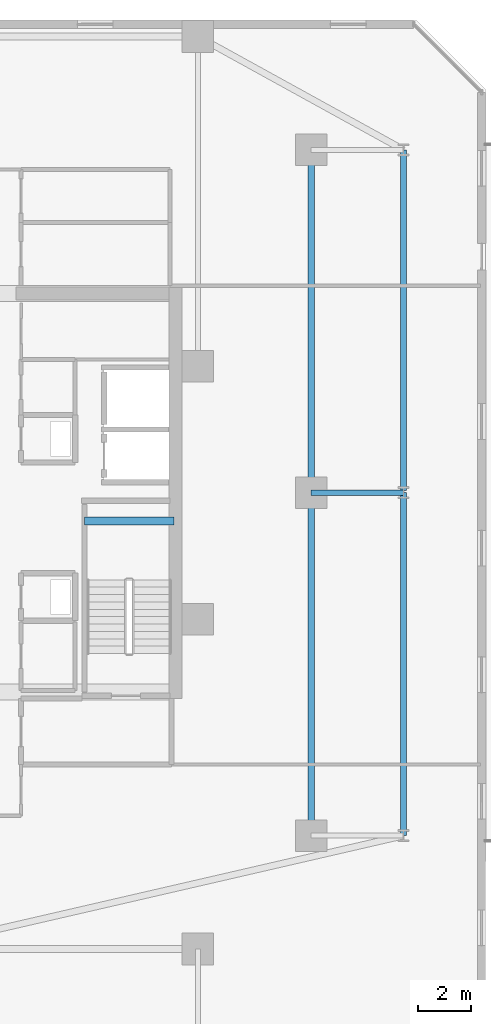
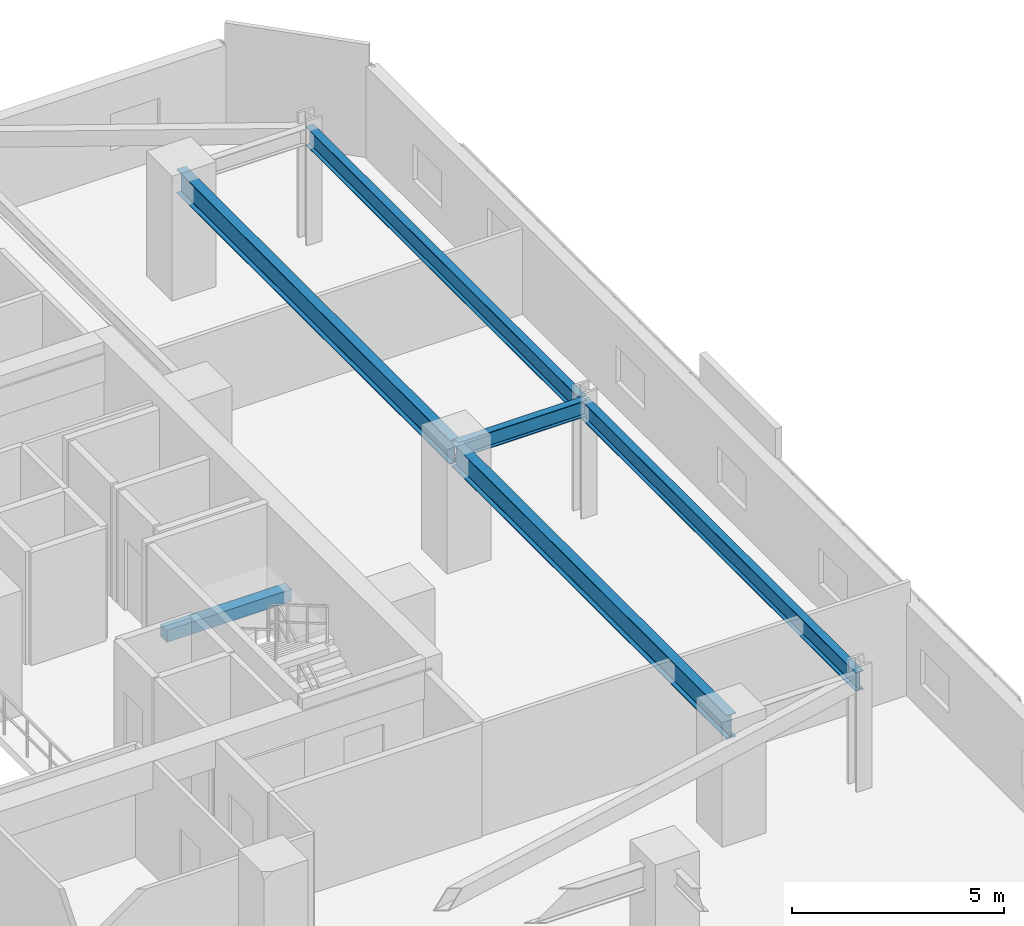
# One storey, part 13 of 34: 6 beams.
"""IFC4 building model written with IfcOpenShell, lengths in metres."""

from ifc_helpers import new_model, si_unit, direction, frame, origin, origin_2d, place, context, subcontext, project, spatial, rectangle, i_section, extrude, material, material_profile, profile_set, type_object, element, save


model = new_model("IFC4")

# Units and contexts
model_context = context("Model", 3, precision=1e-05, world=origin(), true_north=direction((0.0, 1.0)))
body_context = subcontext(model_context, "Body", "Model", "MODEL_VIEW")
ifc_project = project(units=[si_unit("LENGTHUNIT", "METRE"), si_unit("AREAUNIT", "SQUARE_METRE"), si_unit("VOLUMEUNIT", "CUBIC_METRE"), si_unit("PLANEANGLEUNIT", "RADIAN"), si_unit("MASSUNIT", "GRAM", prefix="KILO")], contexts=[model_context])

# Site, building, storey
site_placement = place(None, origin())
site = spatial("IfcSite", under=ifc_project, at=site_placement, CompositionType="ELEMENT")
building_placement = place(site_placement, origin())
building = spatial("IfcBuilding", under=site, at=building_placement, Name="Thornwick Lancets Civic Towers", CompositionType="ELEMENT")
storey_placement = place(building_placement, frame((0.0, 0.0, 137.699951171875)))
storey = spatial("IfcBuildingStorey", under=building, at=storey_placement, Name="L36", CompositionType="ELEMENT", Elevation=137.699951171875)

# Beams
ifc_material_1 = material(Name="Steel S355JR", Category="steel")
ifc_material_profile_1 = material_profile(ifc_material_1, i_section(OverallWidth=0.2119140625, OverallDepth=0.54443359375, WebThickness=0.0126953125, FlangeThickness=0.021240234375, FilletRadius=0.0126953125, at=origin_2d()), Name="UKB 533x210x122")
ifc_profile_set_1 = profile_set([ifc_material_profile_1], Name="Steel S355JR")
beam_type_1 = type_object("IfcBeamType", Name="BM_EDGE_533_122", PredefinedType="SPANDREL", material=ifc_profile_set_1)
beam_1_placement = place(storey_placement, frame((109.300048828125, 14.0, 3.0078125), z_axis=(0.0, 1.0, 0.0), x_axis=(-1.0, 0.0, 0.0)))
element("IfcBeam", 1, at=beam_1_placement, inside=storey, type_object=beam_type_1, Name="BM-EDGE-L36-B-S0-1", PredefinedType="SPANDREL", context=body_context, shape_type="SweptSolid", body=[
    extrude(i_section(OverallWidth=0.2119140625, OverallDepth=0.54443359375, WebThickness=0.0126953125, FlangeThickness=0.021240234375, FilletRadius=0.0126953125, at=origin_2d()), origin(), (0.0, 0.0, 1.0), 13.0),
])
beam_2_placement = place(storey_placement, frame((109.300048828125, 27.080078125, 3.0078125), z_axis=(0.0, 1.0, 0.0), x_axis=(-1.0, 0.0, 0.0)))
element("IfcBeam", 2, at=beam_2_placement, inside=storey, type_object=beam_type_1, Name="BM-EDGE-L36-B-S0-2", PredefinedType="SPANDREL", context=body_context, shape_type="SweptSolid", body=[
    extrude(i_section(OverallWidth=0.2119140625, OverallDepth=0.54443359375, WebThickness=0.0126953125, FlangeThickness=0.021240234375, FilletRadius=0.0126953125, at=origin_2d()), origin(), (0.0, 0.0, 1.0), 12.919921875),
])
ifc_material_profile_2 = material_profile(ifc_material_1, i_section(OverallWidth=0.255859375, OverallDepth=0.69287109375, WebThickness=0.014404296875, FlangeThickness=0.023681640625, FilletRadius=0.01513671875, at=origin_2d()), Name="UKB 686x254x170")
ifc_profile_set_2 = profile_set([ifc_material_profile_2], Name="Steel S355JR")
beam_type_2 = type_object("IfcBeamType", Name="BM_GIRD_686_170", PredefinedType="BEAM", material=ifc_profile_set_2)
beam_3_placement = place(storey_placement, frame((105.800048828125, 14.0, 2.93359375), z_axis=(0.0, 1.0, 0.0), x_axis=(-1.0, 0.0, 0.0)))
element("IfcBeam", 3, at=beam_3_placement, inside=storey, type_object=beam_type_2, Name="BM-SPINE-L36-B-0-1", PredefinedType="BEAM", context=body_context, shape_type="SweptSolid", body=[
    extrude(i_section(OverallWidth=0.255859375, OverallDepth=0.69287109375, WebThickness=0.014404296875, FlangeThickness=0.023681640625, FilletRadius=0.01513671875, at=origin_2d()), origin(), (0.0, 0.0, 1.0), 13.0),
])
beam_4_placement = place(storey_placement, frame((105.800048828125, 27.080078125, 2.93359375), z_axis=(0.0, 1.0, 0.0), x_axis=(-1.0, 0.0, 0.0)))
element("IfcBeam", 4, at=beam_4_placement, inside=storey, type_object=beam_type_2, Name="BM-SPINE-L36-B-1-2", PredefinedType="BEAM", context=body_context, shape_type="SweptSolid", body=[
    extrude(i_section(OverallWidth=0.255859375, OverallDepth=0.69287109375, WebThickness=0.014404296875, FlangeThickness=0.023681640625, FilletRadius=0.01513671875, at=origin_2d()), origin(), (0.0, 0.0, 1.0), 12.919921875),
])
ifc_material_profile_3 = material_profile(ifc_material_1, i_section(OverallWidth=0.19189453125, OverallDepth=0.46337890625, WebThickness=0.010498046875, FlangeThickness=0.017578125, FilletRadius=0.01025390625, at=origin_2d()), Name="UKB 457x191x89")
ifc_profile_set_3 = profile_set([ifc_material_profile_3], Name="Steel S355JR")
beam_type_3 = type_object("IfcBeamType", Name="BM_JOIST_457_89", PredefinedType="JOIST", material=ifc_profile_set_3)
beam_5_placement = place(storey_placement, frame((105.800048828125, 27.0, 3.04833984375), z_axis=(1.0, 0.0, 0.0), x_axis=(0.0, 1.0, 0.0)))
element("IfcBeam", 5, at=beam_5_placement, inside=storey, type_object=beam_type_3, Name="BM-RAD-L36-B02", PredefinedType="JOIST", context=body_context, shape_type="SweptSolid", body=[
    extrude(i_section(OverallWidth=0.19189453125, OverallDepth=0.46337890625, WebThickness=0.010498046875, FlangeThickness=0.017578125, FilletRadius=0.01025390625, at=origin_2d()), origin(), (0.0, 0.0, 1.0), 3.5),
])
ifc_material_2 = material(Name="Concrete C40/50", Category="concrete")
ifc_material_profile_4 = material_profile(ifc_material_2, rectangle(XDim=0.300048828125, YDim=0.35009765625, at=origin_2d()), Name="RC 300x350")
ifc_profile_set_4 = profile_set([ifc_material_profile_4], Name="Concrete C40/50")
beam_type_4 = type_object("IfcBeamType", Name="BM_STAIR_LDG", PredefinedType="BEAM", material=ifc_profile_set_4)
beam_6_placement = place(storey_placement, frame((100.60009765625, 25.93505859375, 1.3779296875), z_axis=(-1.0, 0.0, 0.0), x_axis=(0.0, -1.0, 0.0)))
element("IfcBeam", 6, at=beam_6_placement, inside=storey, type_object=beam_type_4, Name="L36 ST-B1 Landing Support Beam 1", PredefinedType="BEAM", context=body_context, shape_type="SweptSolid", body=[
    extrude(rectangle(XDim=0.300048828125, YDim=0.35009765625, at=origin_2d()), origin(), (0.0, 0.0, 1.0), 3.400146484375),
])

save(model, "model.ifc")
